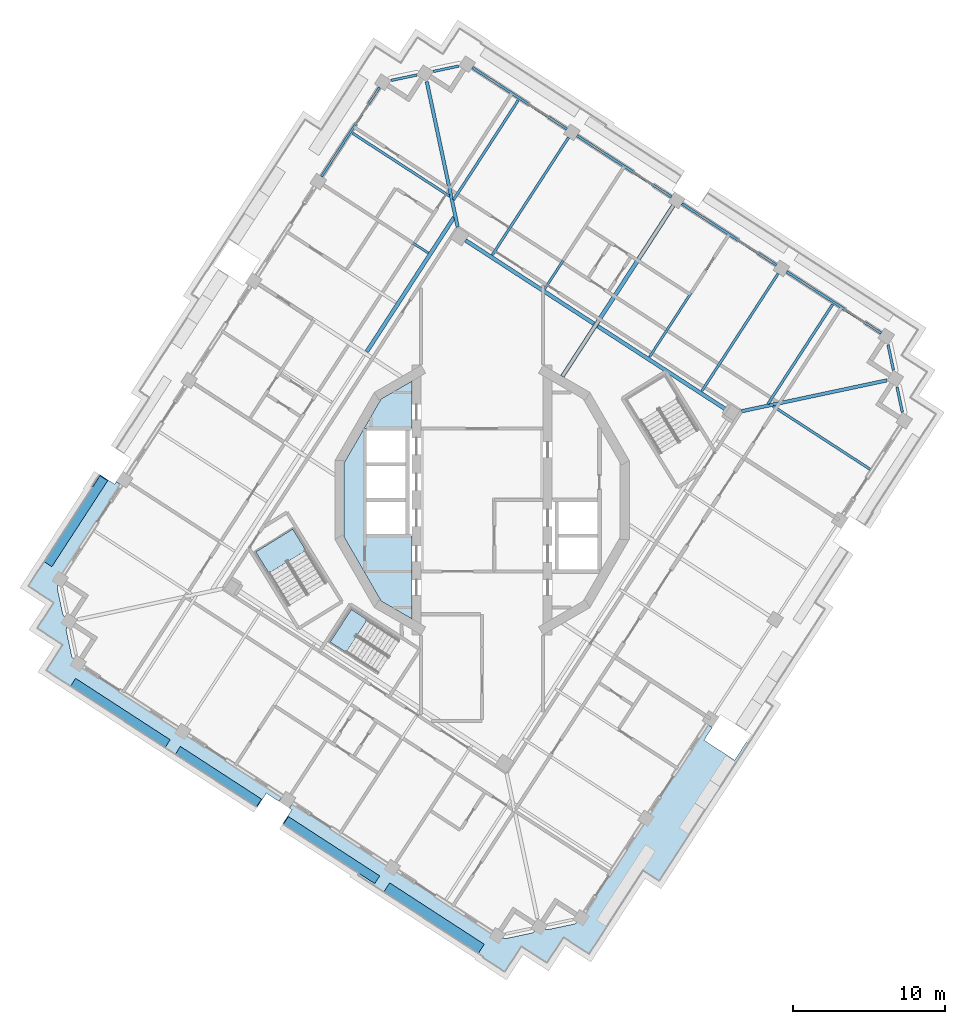
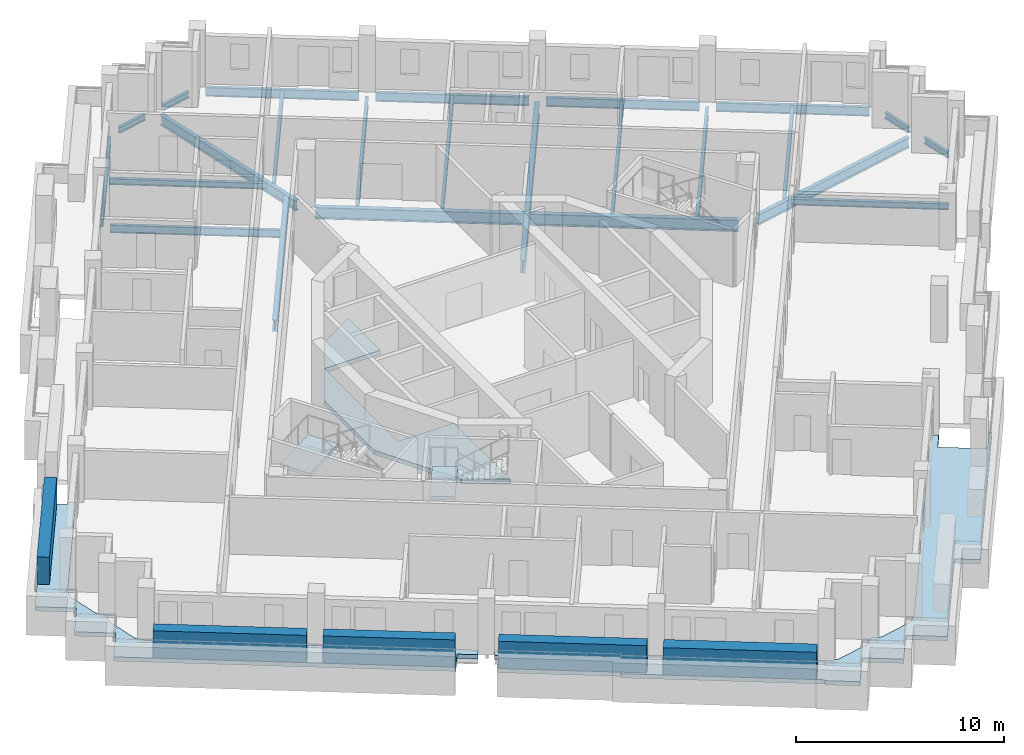
# One storey, part 2 of 15: 24 beams, 5 plates, 5 slabs, 2 elements without a shape of their own.
"""IFC4 building model written with IfcOpenShell, lengths in metres."""

from ifc_helpers import new_model, si_unit, direction, frame, origin, origin_2d, place, context, subcontext, project, spatial, polyline, rectangle, i_section, outline, extrude, material, layer, layer_set, material_profile, profile_set, type_object, element, aggregate, save


model = new_model("IFC4")

# Units and contexts
model_context = context("Model", 3, precision=1e-05, world=origin(), true_north=direction((0.0, 1.0)))
body_context = subcontext(model_context, "Body", "Model", "MODEL_VIEW")
ifc_project = project(units=[si_unit("LENGTHUNIT", "METRE"), si_unit("AREAUNIT", "SQUARE_METRE"), si_unit("VOLUMEUNIT", "CUBIC_METRE"), si_unit("PLANEANGLEUNIT", "RADIAN"), si_unit("MASSUNIT", "GRAM", prefix="KILO")], contexts=[model_context])

# Site, building, storey
site_placement = place(None, origin())
site = spatial("IfcSite", under=ifc_project, at=site_placement, CompositionType="ELEMENT")
building_placement = place(site_placement, origin())
building = spatial("IfcBuilding", under=site, at=building_placement, Name="Cantera Rosa Tower", CompositionType="ELEMENT")
storey_placement = place(building_placement, frame((0.0, 0.0, 261.300048828125)))
storey = spatial("IfcBuildingStorey", under=building, at=storey_placement, Name="L58", CompositionType="ELEMENT", Elevation=261.300048828125)

# Beams
ifc_material_1 = material(Name="Steel ASTM A992 (Fy 345 MPa)", Category="steel")
ifc_material_profile_1 = material_profile(ifc_material_1, i_section(OverallWidth=0.154052734375, OverallDepth=0.4599609375, WebThickness=0.009033203125, FlangeThickness=0.015380859375, FilletRadius=0.01025390625, at=origin_2d()), Name="W460X68")
ifc_profile_set_1 = profile_set([ifc_material_profile_1], Name="Steel ASTM A992 (Fy 345 MPa)")
beam_type_1 = type_object("IfcBeamType", Name="STEEL BEAM W460X68", PredefinedType="BEAM", material=ifc_profile_set_1)
beam_1_placement = place(storey_placement, frame((-10.41748046875, 20.68017578125, -0.47998046875), z_axis=(0.838672777751, -0.544635632198, 0.0), x_axis=(0.544635632198, 0.838672777751, 0.0)))
element("IfcBeam", 1, at=beam_1_placement, inside=storey, type_object=beam_type_1, Name="G-Z5-04 L58", PredefinedType="BEAM", context=body_context, shape_type="SweptSolid", body=[
    extrude(i_section(OverallWidth=0.154052734375, OverallDepth=0.4599609375, WebThickness=0.009033203125, FlangeThickness=0.015380859375, FilletRadius=0.01025390625, at=origin_2d()), origin(), (0.0, 0.0, 1.0), 8.2001953125),
])
ifc_material_2 = material(Name="Steel ASTM A992 (Fy 345 MPa)", Category="steel")
ifc_material_profile_2 = material_profile(ifc_material_2, i_section(OverallWidth=0.166015625, OverallDepth=0.528076171875, WebThickness=0.009765625, FlangeThickness=0.013671875, FilletRadius=0.0126953125, at=origin_2d()), Name="W530X74")
ifc_profile_set_2 = profile_set([ifc_material_profile_2], Name="Steel ASTM A992 (Fy 345 MPa)")
beam_type_2 = type_object("IfcBeamType", Name="STEEL BEAM W530X74", PredefinedType="BEAM", material=ifc_profile_set_2)
beam_2_placement = place(storey_placement, frame((19.430908203125, 14.865234375, -0.51416015625), z_axis=(-0.544634776066, -0.838673333724, 0.0), x_axis=(0.838673333724, -0.544634776066, 0.0)))
element("IfcBeam", 2, at=beam_2_placement, inside=storey, type_object=beam_type_2, Name="G-Z5-01 L58", PredefinedType="BEAM", context=body_context, shape_type="SweptSolid", body=[
    extrude(i_section(OverallWidth=0.166015625, OverallDepth=0.528076171875, WebThickness=0.009765625, FlangeThickness=0.013671875, FilletRadius=0.0126953125, at=origin_2d()), origin(), (0.0, 0.0, 1.0), 9.19970703125),
])
beam_3_placement = place(storey_placement, frame((5.6767578125, 23.79736328125, -0.51416015625), z_axis=(-0.544622654601, -0.838681205283, 0.0), x_axis=(0.838681205283, -0.544622654601, 0.0)))
element("IfcBeam", 3, at=beam_3_placement, inside=storey, type_object=beam_type_2, Name="G-Z5-03 L58", PredefinedType="BEAM", context=body_context, shape_type="SweptSolid", body=[
    extrude(i_section(OverallWidth=0.166015625, OverallDepth=0.528076171875, WebThickness=0.009765625, FlangeThickness=0.013671875, FilletRadius=0.0126953125, at=origin_2d()), origin(), (0.0, 0.0, 1.0), 9.199951171875),
])
ifc_material_3 = material(Name="Steel ASTM A992 (Fy 345 MPa)", Category="steel")
ifc_material_profile_3 = material_profile(ifc_material_3, i_section(OverallWidth=0.22802734375, OverallDepth=0.60205078125, WebThickness=0.010498046875, FlangeThickness=0.014892578125, FilletRadius=0.0126953125, at=origin_2d()), Name="W610X101")
ifc_profile_set_3 = profile_set([ifc_material_profile_3], Name="Steel ASTM A992 (Fy 345 MPa)")
beam_type_3 = type_object("IfcBeamType", Name="STEEL BEAM W610X101", PredefinedType="BEAM", material=ifc_profile_set_3)
for number, where, z_axis, x_axis, name in (
    (4, (-3.63134765625, 27.45751953125, -0.551025390625), (0.20790902572, -0.978148167214, 0.0), (0.978148167214, 0.20790902572, 0.0), "CB-Z5-01 L58"),
    (5, (26.560791015625, 7.8505859375, -0.551025390625), (-0.978148167214, -0.20790902572, 0.0), (0.20790902572, -0.978148167214, 0.0), "CB-Z5-04 L58"),
):
    element("IfcBeam", number, at=place(storey_placement, frame(where, z_axis=z_axis, x_axis=x_axis)), inside=storey, type_object=beam_type_3, Name=name, PredefinedType="BEAM", context=body_context, shape_type="SweptSolid", body=[
        extrude(i_section(OverallWidth=0.22802734375, OverallDepth=0.60205078125, WebThickness=0.010498046875, FlangeThickness=0.014892578125, FilletRadius=0.0126953125, at=origin_2d()), origin(), (0.0, 0.0, 1.0), 9.758056640625),
    ])
ifc_material_4 = material(Name="Steel ASTM A992 (Fy 345 MPa)", Category="steel")
ifc_material_profile_4 = material_profile(ifc_material_4, i_section(OverallWidth=0.25390625, OverallDepth=0.677978515625, WebThickness=0.01171875, FlangeThickness=0.016357421875, FilletRadius=0.01513671875, at=origin_2d()), Name="W690X125")
ifc_profile_set_4 = profile_set([ifc_material_profile_4], Name="Steel ASTM A992 (Fy 345 MPa)")
beam_type_4 = type_object("IfcBeamType", Name="STEEL BEAM W690X125", PredefinedType="BEAM", material=ifc_profile_set_4)
beam_4_placement = place(storey_placement, frame((-7.570068359375, 9.733154296875, -0.589111328125), z_axis=(0.544635575355, 0.838672814665, 0.0), x_axis=(-0.838672814665, 0.544635575355, 0.0)))
element("IfcBeam", 6, at=beam_4_placement, inside=storey, type_object=beam_type_4, Name="RB-Z5-03 L58", PredefinedType="BEAM", context=body_context, shape_type="SweptSolid", body=[
    extrude(i_section(OverallWidth=0.25390625, OverallDepth=0.677978515625, WebThickness=0.01171875, FlangeThickness=0.016357421875, FilletRadius=0.01513671875, at=origin_2d()), origin(), (0.0, 0.0, 1.0), 10.510009765625),
])
beam_5_placement = place(storey_placement, frame((16.01611328125, 5.9345703125, -0.589111328125), z_axis=(-0.838672207367, 0.544636510519, 0.0), x_axis=(-0.544636510519, -0.838672207367, 0.0)))
element("IfcBeam", 7, at=beam_5_placement, inside=storey, type_object=beam_type_4, Name="RB-Z5-07 L58", PredefinedType="BEAM", context=body_context, shape_type="SweptSolid", body=[
    extrude(i_section(OverallWidth=0.25390625, OverallDepth=0.677978515625, WebThickness=0.01171875, FlangeThickness=0.016357421875, FilletRadius=0.01513671875, at=origin_2d()), origin(), (0.0, 0.0, 1.0), 10.050048828125),
])
beam_6_placement = place(storey_placement, frame((7.335693359375, 11.571533203125, -0.589111328125), z_axis=(-0.838665001306, 0.544647606792, 0.0), x_axis=(-0.544647606792, -0.838665001306, 0.0)))
element("IfcBeam", 8, at=beam_6_placement, inside=storey, type_object=beam_type_4, Name="RB-Z5-08 L58", PredefinedType="BEAM", context=body_context, shape_type="SweptSolid", body=[
    extrude(i_section(OverallWidth=0.25390625, OverallDepth=0.677978515625, WebThickness=0.01171875, FlangeThickness=0.016357421875, FilletRadius=0.01513671875, at=origin_2d()), origin(), (0.0, 0.0, 1.0), 10.0498046875),
])
ifc_material_5 = material(Name="Steel ASTM A992 (Fy 345 MPa)", Category="steel")
ifc_material_profile_5 = material_profile(ifc_material_5, i_section(OverallWidth=0.26708984375, OverallDepth=0.75390625, WebThickness=0.01318359375, FlangeThickness=0.01708984375, FilletRadius=0.0166015625, at=origin_2d()), Name="W760X147")
ifc_profile_set_5 = profile_set([ifc_material_profile_5], Name="Steel ASTM A992 (Fy 345 MPa)")
beam_type_5 = type_object("IfcBeamType", Name="STEEL BEAM W760X147", PredefinedType="BEAM", material=ifc_profile_set_5)
beam_7_placement = place(storey_placement, frame((12.553955078125, 19.331298828125, -0.626953125), z_axis=(-0.54464061985, -0.838669538739, 0.0), x_axis=(0.838669538739, -0.54464061985, 0.0)))
element("IfcBeam", 9, at=beam_7_placement, inside=storey, type_object=beam_type_5, Name="G-Z5-02 L58", PredefinedType="BEAM", context=body_context, shape_type="SweptSolid", body=[
    extrude(i_section(OverallWidth=0.26708984375, OverallDepth=0.75390625, WebThickness=0.01318359375, FlangeThickness=0.01708984375, FilletRadius=0.0166015625, at=origin_2d()), origin(), (0.0, 0.0, 1.0), 13.37744140625),
])
ifc_material_6 = material(Name="Steel ASTM A992 (Fy 345 MPa)", Category="steel")
ifc_material_profile_6 = material_profile(ifc_material_6, i_section(OverallWidth=0.1708984375, OverallDepth=0.35595703125, WebThickness=0.00732421875, FlangeThickness=0.01171875, FilletRadius=0.010009765625, at=origin_2d()), Name="W360X51")
ifc_profile_set_6 = profile_set([ifc_material_profile_6], Name="Steel ASTM A992 (Fy 345 MPa)")
beam_type_6 = type_object("IfcBeamType", Name="STEEL JOIST W360X51", PredefinedType="JOIST", material=ifc_profile_set_6)
for number, where, z_axis, x_axis, name in (
    (10, (23.005859375, 12.842041015625, -0.427978515625), (-0.544641754757, -0.838668801718, 0.0), (0.838668801718, -0.544641754757, 0.0), "B-Z5-01 L58"),
    (11, (2.37451171875, 26.239990234375, -0.427978515625), (-0.54465605183, -0.838659516851, 0.0), (0.838659516851, -0.54465605183, 0.0), "B-Z5-04 L58"),
):
    element("IfcBeam", number, at=place(storey_placement, frame(where, z_axis=z_axis, x_axis=x_axis)), inside=storey, type_object=beam_type_6, Name=name, PredefinedType="JOIST", context=body_context, shape_type="SweptSolid", body=[
        extrude(i_section(OverallWidth=0.1708984375, OverallDepth=0.35595703125, WebThickness=0.00732421875, FlangeThickness=0.01171875, FilletRadius=0.010009765625, at=origin_2d()), origin(), (0.0, 0.0, 1.0), 7.800048828125),
    ])
beam_8_placement = place(storey_placement, frame((-8.508544921875, 24.07861328125, -0.427978515625), z_axis=(0.838670629323, -0.544638940502, 0.0), x_axis=(0.544638940502, 0.838670629323, 0.0)))
element("IfcBeam", 12, at=beam_8_placement, inside=storey, type_object=beam_type_6, Name="B-Z5-05 L58", PredefinedType="JOIST", context=body_context, shape_type="SweptSolid", body=[
    extrude(i_section(OverallWidth=0.1708984375, OverallDepth=0.35595703125, WebThickness=0.00732421875, FlangeThickness=0.01171875, FilletRadius=0.010009765625, at=origin_2d()), origin(), (0.0, 0.0, 1.0), 7.58984375),
])
beam_9_placement = place(storey_placement, frame((25.457763671875, 2.020751953125, -0.427978515625), z_axis=(-0.838680170462, 0.54462424815, 0.0), x_axis=(-0.54462424815, -0.838680170462, 0.0)))
element("IfcBeam", 13, at=beam_9_placement, inside=storey, type_object=beam_type_6, Name="B-Z5-14 L58", PredefinedType="JOIST", context=body_context, shape_type="SweptSolid", body=[
    extrude(i_section(OverallWidth=0.1708984375, OverallDepth=0.35595703125, WebThickness=0.00732421875, FlangeThickness=0.01171875, FilletRadius=0.010009765625, at=origin_2d()), origin(), (0.0, 0.0, 1.0), 7.590087890625),
])
ifc_material_7 = material(Name="Steel ASTM A992 (Fy 345 MPa)", Category="steel")
ifc_material_profile_7 = material_profile(ifc_material_7, i_section(OverallWidth=0.154052734375, OverallDepth=0.4599609375, WebThickness=0.009033203125, FlangeThickness=0.015380859375, FilletRadius=0.01025390625, at=origin_2d()), Name="W460X68")
ifc_profile_set_7 = profile_set([ifc_material_profile_7], Name="Steel ASTM A992 (Fy 345 MPa)")
beam_type_7 = type_object("IfcBeamType", Name="STEEL JOIST W460X68", PredefinedType="JOIST", material=ifc_profile_set_7)
beam_10_placement = place(storey_placement, frame((16.128662109375, 17.30810546875, -0.47998046875), z_axis=(-0.544644146603, -0.838667248419, 0.0), x_axis=(0.838667248419, -0.544644146603, 0.0)))
element("IfcBeam", 14, at=beam_10_placement, inside=storey, type_object=beam_type_7, Name="B-Z5-02 L58", PredefinedType="JOIST", context=body_context, shape_type="SweptSolid", body=[
    extrude(i_section(OverallWidth=0.154052734375, OverallDepth=0.4599609375, WebThickness=0.009033203125, FlangeThickness=0.015380859375, FilletRadius=0.01025390625, at=origin_2d()), origin(), (0.0, 0.0, 1.0), 9.4501953125),
])
beam_11_placement = place(storey_placement, frame((9.25146484375, 21.77392578125, -0.47998046875), z_axis=(-0.544637775879, -0.838671385636, 0.0), x_axis=(0.838671385636, -0.544637775879, 0.0)))
element("IfcBeam", 15, at=beam_11_placement, inside=storey, type_object=beam_type_7, Name="B-Z5-03 L58", PredefinedType="JOIST", context=body_context, shape_type="SweptSolid", body=[
    extrude(i_section(OverallWidth=0.154052734375, OverallDepth=0.4599609375, WebThickness=0.009033203125, FlangeThickness=0.015380859375, FilletRadius=0.01025390625, at=origin_2d()), origin(), (0.0, 0.0, 1.0), 9.44970703125),
])
ifc_material_8 = material(Name="Steel ASTM A992 (Fy 345 MPa)", Category="steel")
ifc_material_profile_8 = material_profile(ifc_material_8, i_section(OverallWidth=0.1708984375, OverallDepth=0.35595703125, WebThickness=0.00732421875, FlangeThickness=0.01171875, FilletRadius=0.010009765625, at=origin_2d()), Name="W360X51")
ifc_profile_set_8 = profile_set([ifc_material_profile_8], Name="Steel ASTM A992 (Fy 345 MPa)")
beam_type_8 = type_object("IfcBeamType", Name="STEEL SPANDREL BEAM W360X51", PredefinedType="SPANDREL", material=ifc_profile_set_8)
for number, where, z_axis, x_axis, name in (
    (16, (-1.53564453125, 28.481201171875, -0.427978515625), (-0.978158850918, -0.20785875582, 0.0), (0.20785875582, -0.978158850918, 0.0), "EB-Z5-05 L58"),
    (17, (-4.30224609375, 27.893310546875, -0.427978515625), (-0.978129595322, -0.207996381593, 0.0), (0.207996381593, -0.978129595322, 0.0), "EB-Z5-06 L58"),
):
    element("IfcBeam", number, at=place(storey_placement, frame(where, z_axis=z_axis, x_axis=x_axis)), inside=storey, type_object=beam_type_8, Name=name, PredefinedType="SPANDREL", context=body_context, shape_type="SweptSolid", body=[
        extrude(i_section(OverallWidth=0.1708984375, OverallDepth=0.35595703125, WebThickness=0.00732421875, FlangeThickness=0.01171875, FilletRadius=0.010009765625, at=origin_2d()), origin(), (0.0, 0.0, 1.0), 1.697265625),
    ])
for number, where, z_axis, x_axis, name in (
    (18, (27.58447265625, 5.7548828125, -0.427978515625), (-0.207888006632, 0.978152634663, 0.0), (-0.978152634663, -0.207888006632, 0.0), "EB-Z5-25 L58"),
    (19, (26.996337890625, 8.521484375, -0.427978515625), (-0.207888006632, 0.978152634663, 0.0), (-0.978152634663, -0.207888006632, 0.0), "EB-Z5-26 L58"),
):
    element("IfcBeam", number, at=place(storey_placement, frame(where, z_axis=z_axis, x_axis=x_axis)), inside=storey, type_object=beam_type_8, Name=name, PredefinedType="SPANDREL", context=body_context, shape_type="SweptSolid", body=[
        extrude(i_section(OverallWidth=0.1708984375, OverallDepth=0.35595703125, WebThickness=0.00732421875, FlangeThickness=0.01171875, FilletRadius=0.010009765625, at=origin_2d()), origin(), (0.0, 0.0, 1.0), 1.697021484375),
    ])
ifc_material_9 = material(Name="Steel ASTM A992 (Fy 345 MPa)", Category="steel")
ifc_material_profile_9 = material_profile(ifc_material_9, i_section(OverallWidth=0.154052734375, OverallDepth=0.4599609375, WebThickness=0.009033203125, FlangeThickness=0.015380859375, FilletRadius=0.01025390625, at=origin_2d()), Name="W460X68")
ifc_profile_set_9 = profile_set([ifc_material_profile_9], Name="Steel ASTM A992 (Fy 345 MPa)")
beam_type_9 = type_object("IfcBeamType", Name="STEEL SPANDREL BEAM W460X68", PredefinedType="SPANDREL", material=ifc_profile_set_9)
beam_12_placement = place(storey_placement, frame((-6.7333984375, 27.08740234375, -0.47998046875), z_axis=(-0.544651451949, -0.838662504164, 0.0), x_axis=(0.838662504164, -0.544651451949, 0.0)))
element("IfcBeam", 20, at=beam_12_placement, inside=storey, type_object=beam_type_9, Name="EB-Z5-07 L58", PredefinedType="SPANDREL", context=body_context, shape_type="SweptSolid", body=[
    extrude(i_section(OverallWidth=0.154052734375, OverallDepth=0.4599609375, WebThickness=0.009033203125, FlangeThickness=0.015380859375, FilletRadius=0.01025390625, at=origin_2d()), origin(), (0.0, 0.0, 1.0), 6.980224609375),
])
ifc_material_10 = material(Name="Steel ASTM A992 (Fy 345 MPa)", Category="steel")
ifc_material_profile_10 = material_profile(ifc_material_10, i_section(OverallWidth=0.166015625, OverallDepth=0.528076171875, WebThickness=0.009765625, FlangeThickness=0.013671875, FilletRadius=0.0126953125, at=origin_2d()), Name="W530X74")
ifc_profile_set_10 = profile_set([ifc_material_profile_10], Name="Steel ASTM A992 (Fy 345 MPa)")
beam_type_10 = type_object("IfcBeamType", Name="STEEL SPANDREL BEAM W530X74", PredefinedType="SPANDREL", material=ifc_profile_set_10)
beam_13_placement = place(storey_placement, frame((26.1904296875, 10.95263671875, -0.51416015625), z_axis=(-0.838669679097, 0.544640403719, 0.0), x_axis=(-0.544640403719, -0.838669679097, 0.0)))
element("IfcBeam", 21, at=beam_13_placement, inside=storey, type_object=beam_type_10, Name="EB-Z5-01 L58", PredefinedType="SPANDREL", context=body_context, shape_type="SweptSolid", body=[
    extrude(i_section(OverallWidth=0.166015625, OverallDepth=0.528076171875, WebThickness=0.009765625, FlangeThickness=0.013671875, FilletRadius=0.0126953125, at=origin_2d()), origin(), (0.0, 0.0, 1.0), 7.39990234375),
])
beam_14_placement = place(storey_placement, frame((19.3134765625, 15.418701171875, -0.51416015625), z_axis=(-0.838679465365, 0.544625333946, 0.0), x_axis=(-0.544625333946, -0.838679465365, 0.0)))
element("IfcBeam", 22, at=beam_14_placement, inside=storey, type_object=beam_type_10, Name="EB-Z5-02 L58", PredefinedType="SPANDREL", context=body_context, shape_type="SweptSolid", body=[
    extrude(i_section(OverallWidth=0.166015625, OverallDepth=0.528076171875, WebThickness=0.009765625, FlangeThickness=0.013671875, FilletRadius=0.0126953125, at=origin_2d()), origin(), (0.0, 0.0, 1.0), 7.400146484375),
])
beam_15_placement = place(storey_placement, frame((12.436279296875, 19.884765625, -0.51416015625), z_axis=(-0.838669679097, 0.544640403719, 0.0), x_axis=(-0.544640403719, -0.838669679097, 0.0)))
element("IfcBeam", 23, at=beam_15_placement, inside=storey, type_object=beam_type_10, Name="EB-Z5-03 L58", PredefinedType="SPANDREL", context=body_context, shape_type="SweptSolid", body=[
    extrude(i_section(OverallWidth=0.166015625, OverallDepth=0.528076171875, WebThickness=0.009765625, FlangeThickness=0.013671875, FilletRadius=0.0126953125, at=origin_2d()), origin(), (0.0, 0.0, 1.0), 7.39990234375),
])
beam_16_placement = place(storey_placement, frame((5.559326171875, 24.350830078125, -0.51416015625), z_axis=(-0.838679465365, 0.544625333946, 0.0), x_axis=(-0.544625333946, -0.838679465365, 0.0)))
element("IfcBeam", 24, at=beam_16_placement, inside=storey, type_object=beam_type_10, Name="EB-Z5-04 L58", PredefinedType="SPANDREL", context=body_context, shape_type="SweptSolid", body=[
    extrude(i_section(OverallWidth=0.166015625, OverallDepth=0.528076171875, WebThickness=0.009765625, FlangeThickness=0.013671875, FilletRadius=0.0126953125, at=origin_2d()), origin(), (0.0, 0.0, 1.0), 7.400146484375),
])

# Slabs
ifc_material_11 = material(Name="Concrete C35/45", Category="concrete")
ifc_layer_1 = layer(ifc_material_11, 0.25)
ifc_layer_set_1 = layer_set([ifc_layer_1], Name="COMPOSITE FLOOR SLAB 250 C35/45")
slab_type_1 = type_object("IfcSlabType", Name="COMPOSITE FLOOR SLAB 250 C35/45", PredefinedType="FLOOR", material=ifc_layer_set_1)
slab_1_placement = place(storey_placement, frame((0.0, 0.0, -0.25)))
element("IfcSlab", 25, at=slab_1_placement, inside=storey, type_object=slab_type_1, Name="SLAB L58 floor 1", PredefinedType="FLOOR", context=body_context, shape_type="SweptSolid", body=[
    extrude(outline(polyline([(-6.6318359375, -6.6318359375), (-9.059326171875, -2.427490234375), (-9.059326171875, 2.427490234375), (-6.6318359375, 6.6318359375), (-4.60009765625, 7.804931640625), (-4.60009765625, 4.699951171875), (-7.699951171875, 4.699951171875), (-7.699951171875, 2.35009765625), (-7.699951171875, 0.0), (-7.699951171875, -2.35009765625), (-4.60009765625, -2.35009765625), (-4.60009765625, -7.804931640625), (-6.6318359375, -6.6318359375)])), origin(), (0.0, 0.0, 1.0), 0.25),
])
ifc_material_12 = material(Name="Concrete C35/45", Category="concrete")
ifc_layer_2 = layer(ifc_material_12, 0.25)
ifc_layer_set_2 = layer_set([ifc_layer_2], Name="LOGGIA SLAB 250 C35/45")
slab_type_2 = type_object("IfcSlabType", Name="LOGGIA SLAB 250 C35/45", PredefinedType="FLOOR", material=ifc_layer_set_2)
slab_2_placement = place(storey_placement, frame((0.0, 0.0, -0.25)))
element("IfcSlab", 26, at=slab_2_placement, inside=storey, type_object=slab_type_2, Name="LOGGIA SLAB L58 1", PredefinedType="FLOOR", context=body_context, shape_type="SweptSolid", body=[
    extrude(outline(polyline([(-28.600830078125, -11.17578125), (-27.783935546875, -9.917724609375), (-27.51171875, -9.49853515625), (-27.930908203125, -9.22607421875), (-29.18896484375, -8.4091796875), (-28.3720703125, -7.151123046875), (-28.099609375, -6.731689453125), (-28.51904296875, -6.45947265625), (-29.777099609375, -5.642578125), (-28.960205078125, -4.384521484375), (-25.57861328125, 0.822509765625), (-25.638671875, 0.861328125), (-25.109619140625, 1.676025390625), (-24.127197265625, 1.0380859375), (-24.01806640625, 1.205810546875), (-23.6826171875, 0.98779296875), (-27.13330078125, -4.32568359375), (-27.7021484375, -5.201416015625), (-27.863037109375, -5.643798828125), (-27.872802734375, -5.67138671875), (-27.87939453125, -5.7001953125), (-27.88330078125, -5.729248046875), (-27.884521484375, -5.7587890625), (-27.882568359375, -5.7880859375), (-27.8779296875, -5.817138671875), (-27.525146484375, -7.477294921875), (-27.517578125, -7.505615234375), (-27.50732421875, -7.533203125), (-27.494384765625, -7.559814453125), (-27.47900390625, -7.584716796875), (-27.461181640625, -7.608154296875), (-27.44091796875, -7.629638671875), (-27.114013671875, -7.968017578125), (-27.275146484375, -8.410400390625), (-27.28466796875, -8.43798828125), (-27.29150390625, -8.466796875), (-27.29541015625, -8.49609375), (-27.29638671875, -8.525390625), (-27.294677734375, -8.5546875), (-27.289794921875, -8.583740234375), (-26.93701171875, -10.243896484375), (-26.929443359375, -10.272216796875), (-26.919189453125, -10.2998046875), (-26.90625, -10.326416015625), (-26.890869140625, -10.351318359375), (-26.873046875, -10.374755859375), (-26.852783203125, -10.396240234375), (-26.52587890625, -10.734619140625), (-25.650146484375, -11.303466796875), (-13.107421875, -19.448974609375), (-13.3251953125, -19.784423828125), (-14.163818359375, -19.23974609375), (-14.762939453125, -20.162353515625), (-14.8466796875, -20.10791015625), (-19.207763671875, -17.275634765625), (-21.723876953125, -15.641845703125), (-27.343017578125, -11.992919921875), (-28.600830078125, -11.17578125)])), origin(), (0.0, 0.0, 1.0), 0.25),
])
slab_3_placement = place(storey_placement, frame((0.0, 0.0, -0.25)))
element("IfcSlab", 27, at=slab_3_placement, inside=storey, type_object=slab_type_2, Name="LOGGIA SLAB L58 3", PredefinedType="FLOOR", context=body_context, shape_type="SweptSolid", body=[
    extrude(outline(polyline([(5.58984375, -28.848388671875), (5.338134765625, -28.68505859375), (5.1748046875, -28.936767578125), (4.248779296875, -30.362548828125), (2.822998046875, -29.4365234375), (2.571533203125, -29.273193359375), (1.482421875, -30.950439453125), (0.056396484375, -30.024658203125), (0.0947265625, -29.9658203125), (-8.1494140625, -24.612060546875), (-8.07861328125, -24.503173828125), (-12.330810546875, -21.74169921875), (-13.08544921875, -21.251708984375), (-12.486328125, -20.3291015625), (-12.654296875, -20.22021484375), (-12.436279296875, -19.884765625), (0.106689453125, -28.030029296875), (0.982421875, -28.598876953125), (1.424560546875, -28.760009765625), (1.452392578125, -28.76953125), (1.481201171875, -28.7763671875), (1.51025390625, -28.7802734375), (1.539794921875, -28.78125), (1.569091796875, -28.779296875), (1.59814453125, -28.774658203125), (3.258056640625, -28.421875), (3.28662109375, -28.414306640625), (3.314208984375, -28.404052734375), (3.340576171875, -28.39111328125), (3.365478515625, -28.375732421875), (3.388916015625, -28.35791015625), (3.41064453125, -28.337890625), (3.7490234375, -28.0107421875), (4.191162109375, -28.171875), (4.218994140625, -28.181396484375), (4.247802734375, -28.188232421875), (4.27685546875, -28.192138671875), (4.306396484375, -28.193115234375), (4.335693359375, -28.19140625), (4.36474609375, -28.186767578125), (6.024658203125, -27.833740234375), (6.05322265625, -27.826416015625), (6.080810546875, -27.81591796875), (6.107177734375, -27.802978515625), (6.132080078125, -27.78759765625), (6.15576171875, -27.769775390625), (6.17724609375, -27.749755859375), (6.515625, -27.4228515625), (7.08447265625, -26.547119140625), (14.7724609375, -14.70849609375), (15.10791015625, -14.926513671875), (14.563232421875, -15.76513671875), (16.575927734375, -17.072265625), (17.33837890625, -15.898193359375), (17.462890625, -15.978759765625), (11.619873046875, -24.976318359375), (10.572998046875, -24.29638671875), (7.94140625, -28.3486328125), (7.015380859375, -29.7744140625), (5.58984375, -28.848388671875)])), origin(), (0.0, 0.0, 1.0), 0.25),
])

# Plates
ifc_material_13 = material(Name="Cantera stone planter with soil", Category="masonry")
plate_type_1 = type_object("IfcPlateType", Name="PLANTER 600", PredefinedType="USERDEFINED", material=ifc_material_13)
plate_1_placement = place(storey_placement, frame((-26.657958984375, -1.390380859375, 0.0), z_axis=(0.0, 0.0, 1.0), x_axis=(-0.544639035015, -0.838670567945, 0.0)))
element("IfcPlate", 28, at=plate_1_placement, inside=storey, type_object=plate_type_1, Name="PLANTER L58-09", ObjectType="PLANTER", PredefinedType="USERDEFINED", context=body_context, shape_type="SweptSolid", body=[
    extrude(rectangle(XDim=6.72998046875, YDim=0.60009765625, at=origin_2d()), origin(), (0.0, 0.0, 1.0), 1.60009765625),
])
plate_2_placement = place(storey_placement, frame((-23.740966796875, -13.97412109375, 0.0), z_axis=(0.0, 0.0, 1.0), x_axis=(0.838670567945, -0.544639035015, 0.0)))
element("IfcPlate", 29, at=plate_2_placement, inside=storey, type_object=plate_type_1, Name="PLANTER L58-10", ObjectType="PLANTER", PredefinedType="USERDEFINED", context=body_context, shape_type="SweptSolid", body=[
    extrude(rectangle(XDim=7.39990234375, YDim=0.60009765625, at=origin_2d()), origin(), (0.0, 0.0, 1.0), 1.60009765625),
])
plate_3_placement = place(storey_placement, frame((-17.30419921875, -18.154296875, 0.0), z_axis=(0.0, 0.0, 1.0), x_axis=(0.838670567945, -0.544639035015, 0.0)))
element("IfcPlate", 30, at=plate_3_placement, inside=storey, type_object=plate_type_1, Name="PLANTER L58-11", ObjectType="PLANTER", PredefinedType="USERDEFINED", context=body_context, shape_type="SweptSolid", body=[
    extrude(rectangle(XDim=6.35009765625, YDim=0.60009765625, at=origin_2d()), origin(), (0.0, 0.0, 1.0), 1.60009765625),
])
plate_4_placement = place(storey_placement, frame((-9.882080078125, -22.974365234375, 0.0), z_axis=(0.0, 0.0, 1.0), x_axis=(0.838670567945, -0.544639035015, 0.0)))
element("IfcPlate", 31, at=plate_4_placement, inside=storey, type_object=plate_type_1, Name="PLANTER L58-12", ObjectType="PLANTER", PredefinedType="USERDEFINED", context=body_context, shape_type="SweptSolid", body=[
    extrude(rectangle(XDim=7.14990234375, YDim=0.60009765625, at=origin_2d()), origin(), (0.0, 0.0, 1.0), 1.60009765625),
])
ifc_material_14 = material(Name="Cantera stone planter with soil", Category="masonry")
plate_type_2 = type_object("IfcPlateType", Name="PLANTER 700", PredefinedType="USERDEFINED", material=ifc_material_14)
plate_5_placement = place(storey_placement, frame((-3.1533203125, -27.439453125, 0.0), z_axis=(0.0, 0.0, 1.0), x_axis=(0.838670567945, -0.544639035015, 0.0)))
element("IfcPlate", 32, at=plate_5_placement, inside=storey, type_object=plate_type_2, Name="PLANTER L58-13", ObjectType="PLANTER", PredefinedType="USERDEFINED", context=body_context, shape_type="SweptSolid", body=[
    extrude(rectangle(XDim=7.39990234375, YDim=0.699951171875, at=origin_2d()), origin(), (0.0, 0.0, 1.0), 1.60009765625),
])

# Stair, slab
ifc_material_15 = material(Name="Concrete C35/45", Category="concrete")
stair_type_1 = type_object("IfcStairType", Name="EXIT STAIR 1350 DOGLEG", PredefinedType="HALF_TURN_STAIR", material=ifc_material_15)
stair_1_placement = place(storey_placement, origin())
stair_1 = element("IfcStair", 33, at=stair_1_placement, inside=storey, type_object=stair_type_1, Name="L58 ST-52", PredefinedType="HALF_TURN_STAIR")
ifc_material_16 = material(Name="Concrete C35/45", Category="concrete")
ifc_layer_3 = layer(ifc_material_16, 0.199951171875)
ifc_layer_set_3 = layer_set([ifc_layer_3], Name="STAIR LANDING 200")
slab_type_3 = type_object("IfcSlabType", Name="STAIR LANDING 200", PredefinedType="LANDING", material=ifc_layer_set_3)
slab_4_placement = place(storey_placement, frame((0.0, 0.0, 1.599853515625)))
slab_4 = element("IfcSlab", 34, at=slab_4_placement, type_object=slab_type_3, Name="ST-52 landing 1", PredefinedType="LANDING", context=body_context, shape_type="SweptSolid", body=[
    extrude(outline(polyline([(-11.56884765625, -3.308837890625), (-12.430908203125, -1.911376953125), (-14.8564453125, -3.407470703125), (-13.99462890625, -4.80517578125), (-11.56884765625, -3.308837890625)])), origin(), (0.0, 0.0, 1.0), 0.2001953125),
])
aggregate(stair_1, [slab_4])

ifc_material_17 = material(Name="Concrete C35/45", Category="concrete")
stair_type_2 = type_object("IfcStairType", Name="EXIT STAIR 1200 DOGLEG", PredefinedType="HALF_TURN_STAIR", material=ifc_material_17)
stair_2_placement = place(storey_placement, origin())
stair_2 = element("IfcStair", 35, at=stair_2_placement, inside=storey, type_object=stair_type_2, Name="L58 ST-53", PredefinedType="HALF_TURN_STAIR")
slab_5_placement = place(storey_placement, frame((0.0, 0.0, 1.599853515625)))
slab_5 = element("IfcSlab", 36, at=slab_5_placement, type_object=slab_type_3, Name="ST-53 landing 1", PredefinedType="LANDING", context=body_context, shape_type="SweptSolid", body=[
    extrude(outline(polyline([(-7.53955078125, -7.859130859375), (-8.581298828125, -7.1826171875), (-9.97021484375, -9.3212890625), (-8.928466796875, -9.997802734375), (-7.53955078125, -7.859130859375)])), origin(), (0.0, 0.0, 1.0), 0.2001953125),
])
aggregate(stair_2, [slab_5])

save(model, "model.ifc")
